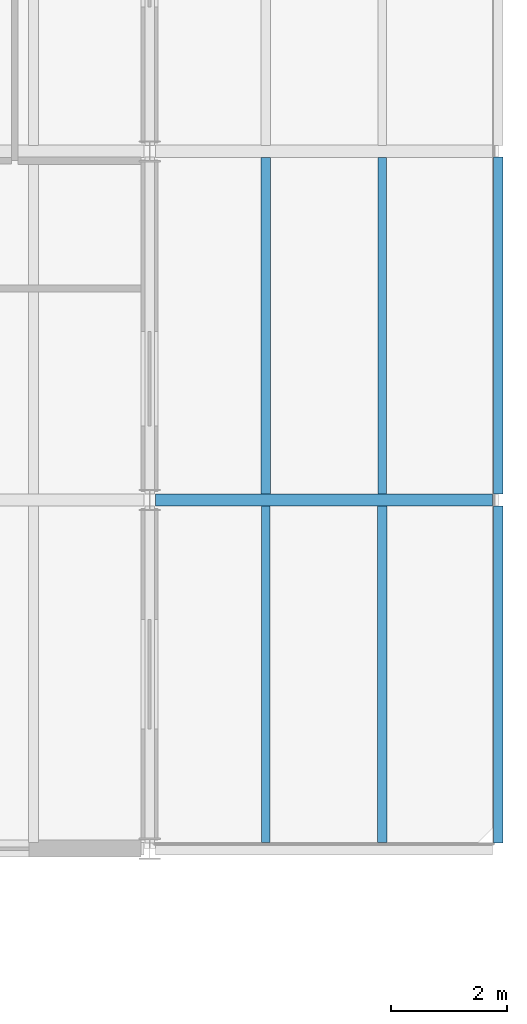
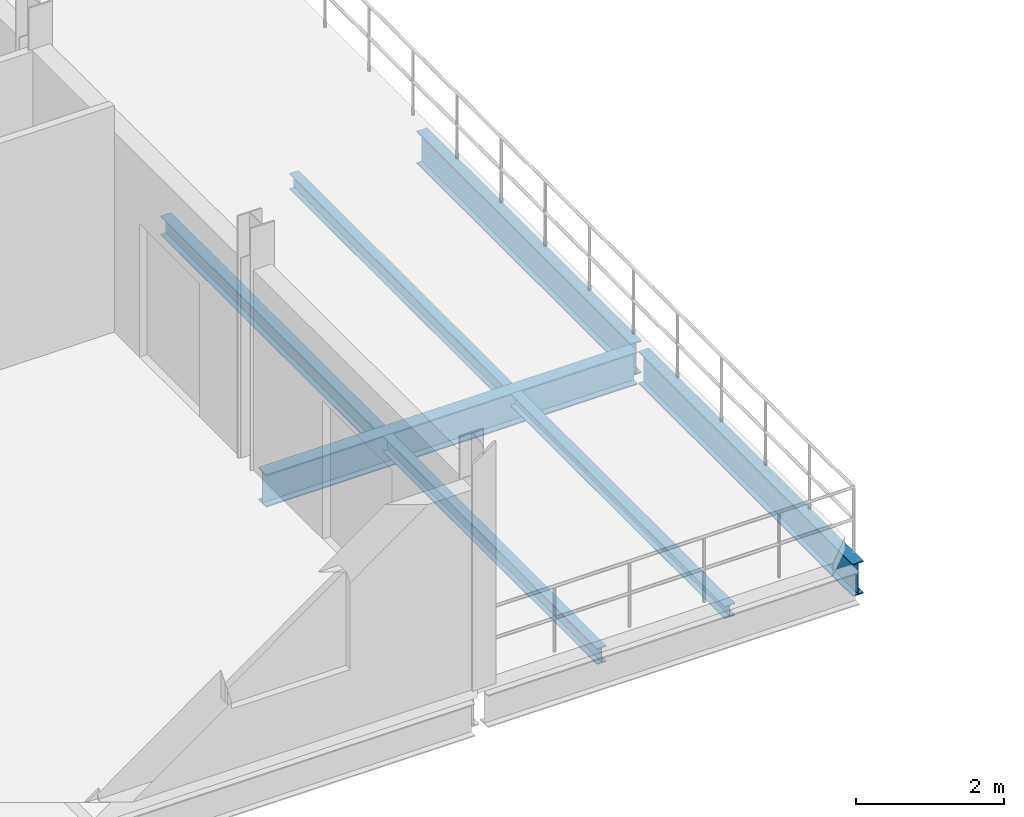
# One storey, part 16 of 45: 7 beams.
"""IFC4 building model written with IfcOpenShell, lengths in metres."""

from ifc_helpers import new_model, si_unit, direction, frame, origin, origin_2d, place, context, subcontext, project, spatial, i_section, extrude, material, material_profile, profile_set, type_object, element, save


model = new_model("IFC4")

# Units and contexts
model_context = context("Model", 3, precision=1e-05, world=origin(), true_north=direction((0.0, 1.0)))
body_context = subcontext(model_context, "Body", "Model", "MODEL_VIEW")
ifc_project = project(units=[si_unit("LENGTHUNIT", "METRE"), si_unit("AREAUNIT", "SQUARE_METRE"), si_unit("VOLUMEUNIT", "CUBIC_METRE"), si_unit("PLANEANGLEUNIT", "RADIAN"), si_unit("MASSUNIT", "GRAM", prefix="KILO")], contexts=[model_context])

# Site, building, storey
site_placement = place(None, origin())
site = spatial("IfcSite", under=ifc_project, at=site_placement, CompositionType="ELEMENT")
building_placement = place(site_placement, origin())
building = spatial("IfcBuilding", under=site, at=building_placement, Name="Siltcreek Boulevard Central Fire Station", CompositionType="ELEMENT")
storey_placement = place(building_placement, frame((0.0, 0.0, 10.0)))
storey = spatial("IfcBuildingStorey", under=building, at=storey_placement, Name="L03", CompositionType="ELEMENT", Elevation=10.0)

# Beams
ifc_material = material(Name="Structural steel ASTM A992 Gr50", Category="steel")
ifc_material_profile_1 = material_profile(ifc_material, i_section(OverallWidth=0.2109375, OverallDepth=0.5390625, WebThickness=0.01171875, FlangeThickness=0.018798828125, at=origin_2d()), Name="W530X109")
ifc_profile_set_1 = profile_set([ifc_material_profile_1], Name="Structural steel ASTM A992 Gr50")
beam_type_1 = type_object("IfcBeamType", Name="BM_W530X109", PredefinedType="BEAM", material=ifc_profile_set_1)
beam_1_placement = place(storey_placement, frame((160.300048828125, 94.199951171875, -0.4794921875), z_axis=(1.0, 0.0, 0.0), x_axis=(0.0, 1.0, 0.0)))
element("IfcBeam", 1, at=beam_1_placement, inside=storey, type_object=beam_type_1, Name="L03 primary steel girder GX-0413", PredefinedType="BEAM", context=body_context, shape_type="SweptSolid", body=[
    extrude(i_section(OverallWidth=0.2109375, OverallDepth=0.5390625, WebThickness=0.01171875, FlangeThickness=0.018798828125, at=origin_2d()), origin(), (0.0, 0.0, 1.0), 5.800048828125),
])
ifc_material_profile_2 = material_profile(ifc_material, i_section(OverallWidth=0.166015625, OverallDepth=0.534912109375, WebThickness=0.01025390625, FlangeThickness=0.0166015625, at=origin_2d()), Name="W530X85")
ifc_profile_set_2 = profile_set([ifc_material_profile_2], Name="Structural steel ASTM A992 Gr50")
beam_type_2 = type_object("IfcBeamType", Name="BM_W530X85", PredefinedType="BEAM", material=ifc_profile_set_2)
for number, where, z_axis, x_axis, name in (
    (2, (166.199951171875, 88.300048828125, -0.4775390625), (0.0, 1.0, 0.0), (-1.0, 0.0, 0.0), "L03 primary steel girder GY-0461"),
    (3, (166.199951171875, 94.300048828125, -0.4775390625), (0.0, 1.0, 0.0), (-1.0, 0.0, 0.0), "L03 primary steel girder GY-0462"),
):
    element("IfcBeam", number, at=place(storey_placement, frame(where, z_axis=z_axis, x_axis=x_axis)), inside=storey, type_object=beam_type_2, Name=name, PredefinedType="BEAM", context=body_context, shape_type="SweptSolid", body=[
        extrude(i_section(OverallWidth=0.166015625, OverallDepth=0.534912109375, WebThickness=0.01025390625, FlangeThickness=0.0166015625, at=origin_2d()), origin(), (0.0, 0.0, 1.0), 5.800048828125),
    ])
ifc_material_profile_3 = material_profile(ifc_material, i_section(OverallWidth=0.1650390625, OverallDepth=0.200927734375, WebThickness=0.006103515625, FlangeThickness=0.01025390625, at=origin_2d()), Name="W200X36")
ifc_profile_set_3 = profile_set([ifc_material_profile_3], Name="Structural steel ASTM A992 Gr50")
beam_type_3 = type_object("IfcBeamType", Name="JST_W200X36", PredefinedType="JOIST", material=ifc_profile_set_3)
beam_2_placement = place(storey_placement, frame((164.199951171875, 88.303466796875, -0.310546875), z_axis=(0.0, 1.0, 0.0), x_axis=(-1.0, 0.0, 0.0)))
element("IfcBeam", 4, at=beam_2_placement, inside=storey, type_object=beam_type_3, Name="L03 secondary steel floor joist 0366", PredefinedType="JOIST", context=body_context, shape_type="SweptSolid", body=[
    extrude(i_section(OverallWidth=0.1650390625, OverallDepth=0.200927734375, WebThickness=0.006103515625, FlangeThickness=0.01025390625, at=origin_2d()), origin(), (0.0, 0.0, 1.0), 5.79296875),
])
ifc_material_profile_4 = material_profile(ifc_material, i_section(OverallWidth=0.14697265625, OverallDepth=0.261962890625, WebThickness=0.006591796875, FlangeThickness=0.01123046875, at=origin_2d()), Name="W250X39")
ifc_profile_set_4 = profile_set([ifc_material_profile_4], Name="Structural steel ASTM A992 Gr50")
beam_type_4 = type_object("IfcBeamType", Name="JST_W250X39", PredefinedType="JOIST", material=ifc_profile_set_4)
for number, where, z_axis, x_axis, name in (
    (5, (162.199951171875, 88.303466796875, -0.341064453125), (0.0, 1.0, 0.0), (-1.0, 0.0, 0.0), "L03 secondary steel floor joist 0365"),
    (6, (164.199951171875, 94.303466796875, -0.341064453125), (0.0, 1.0, 0.0), (-1.0, 0.0, 0.0), "L03 secondary steel floor joist 0380"),
):
    element("IfcBeam", number, at=place(storey_placement, frame(where, z_axis=z_axis, x_axis=x_axis)), inside=storey, type_object=beam_type_4, Name=name, PredefinedType="JOIST", context=body_context, shape_type="SweptSolid", body=[
        extrude(i_section(OverallWidth=0.14697265625, OverallDepth=0.261962890625, WebThickness=0.006591796875, FlangeThickness=0.01123046875, at=origin_2d()), origin(), (0.0, 0.0, 1.0), 5.79296875),
    ])
ifc_material_profile_5 = material_profile(ifc_material, i_section(OverallWidth=0.166015625, OverallDepth=0.31298828125, WebThickness=0.006591796875, FlangeThickness=0.01123046875, at=origin_2d()), Name="W310X45")
ifc_profile_set_5 = profile_set([ifc_material_profile_5], Name="Structural steel ASTM A992 Gr50")
beam_type_5 = type_object("IfcBeamType", Name="JST_W310X45", PredefinedType="JOIST", material=ifc_profile_set_5)
beam_3_placement = place(storey_placement, frame((162.199951171875, 94.303466796875, -0.366455078125), z_axis=(0.0, 1.0, 0.0), x_axis=(-1.0, 0.0, 0.0)))
element("IfcBeam", 7, at=beam_3_placement, inside=storey, type_object=beam_type_5, Name="L03 secondary steel floor joist 0379", PredefinedType="JOIST", context=body_context, shape_type="SweptSolid", body=[
    extrude(i_section(OverallWidth=0.166015625, OverallDepth=0.31298828125, WebThickness=0.006591796875, FlangeThickness=0.01123046875, at=origin_2d()), origin(), (0.0, 0.0, 1.0), 5.79296875),
])

save(model, "model.ifc")
